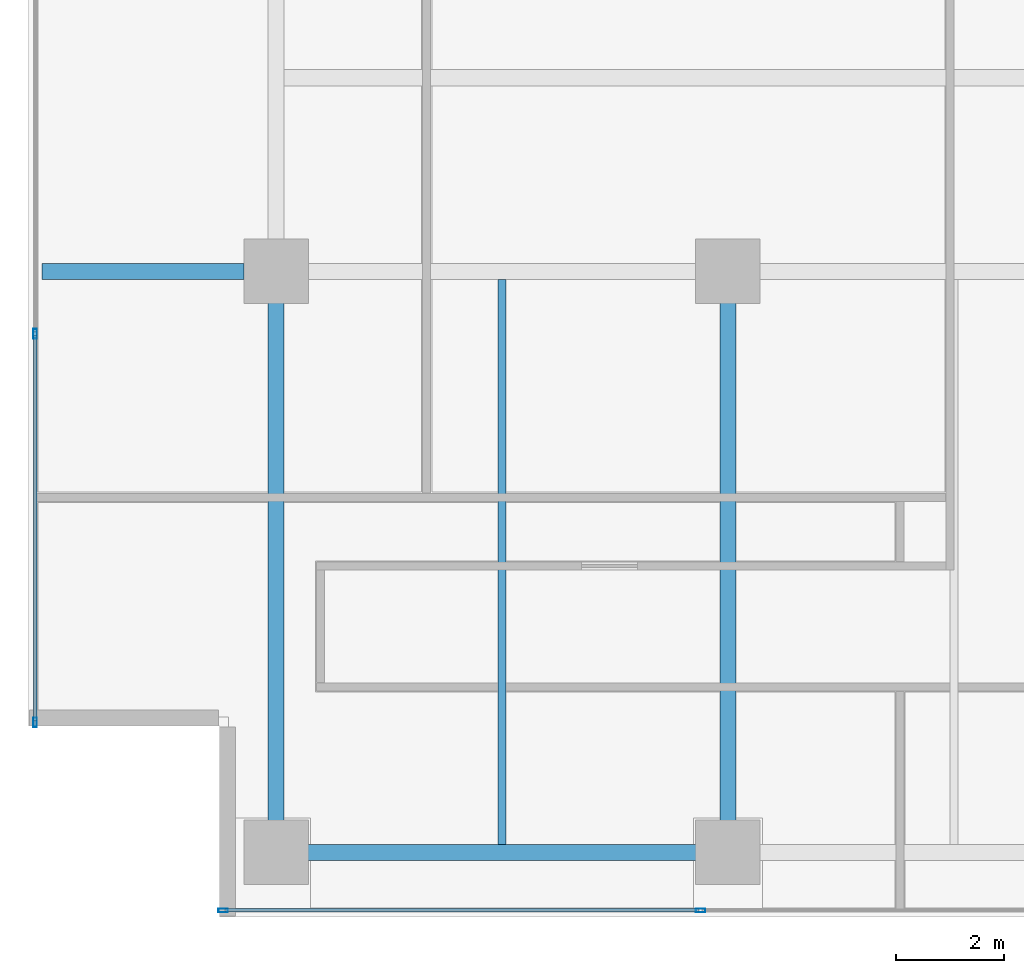
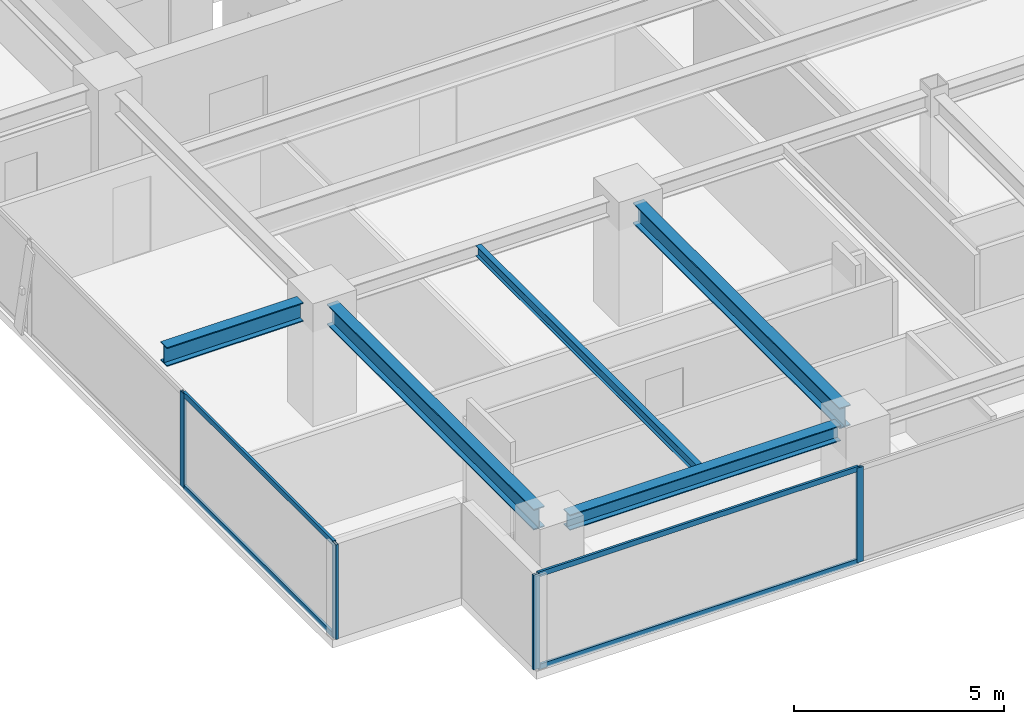
# One storey, part 2 of 20: 8 members, 5 beams, 2 elements without a shape of their own.
"""IFC4 building model written with IfcOpenShell, lengths in metres."""

import ifcopenshell
import ifcopenshell.guid

model = None  # the IFC model being written
_history = None  # IfcOwnerHistory: only IFC2X3 demands one
_inside = {}  # id of a spatial element -> (the spatial element, [elements in it])
_under = {}  # id of a project, library or spatial element -> (it, [spatial elements below it])
_declared = {}  # id of a project -> (the project, [libraries it declares])
_typed = {}  # id of a type object -> (the type object, [elements of that type])
_made_of = {}  # id of a material, layer set ... -> (it, [elements and type objects made of it])


def new_model(schema):
    """Start an empty IFC model of exactly this schema.

    Asked for "IFC4X3", IfcOpenShell would pick the latest addendum, in which some entities
    have other attributes; the version numbers below select the first issue.
    IFC2X3 requires an IfcOwnerHistory on every rooted entity: one is made here for all.
    """
    global model, _history
    if schema == "IFC4X3":
        model = ifcopenshell.file(schema_version=(4, 3, 0, 0))
    else:
        model = ifcopenshell.file(schema=schema)
    _inside.clear()
    _under.clear()
    _declared.clear()
    _typed.clear()
    _made_of.clear()
    _history = None
    if model.schema == "IFC2X3":
        org = make("IfcOrganization", Name="unknown")
        user = make(
            "IfcPersonAndOrganization",
            ThePerson=make("IfcPerson", FamilyName="unknown"),
            TheOrganization=org,
        )
        app = make(
            "IfcApplication",
            ApplicationDeveloper=org,
            Version="unknown",
            ApplicationFullName="unknown",
            ApplicationIdentifier="unknown",
        )
        _history = make(
            "IfcOwnerHistory",
            OwningUser=user,
            OwningApplication=app,
            ChangeAction="ADDED",
            CreationDate=0,
        )
    return model


def make(cls, **values):
    """One entity of the class cls with the attributes given. An attribute that is None is left unset."""
    return model.create_entity(
        cls, **{name: value for name, value in values.items() if value is not None}
    )


def rooted(cls, **values):
    """An entity with a GlobalId (a new one), such as an element, a storey or a relation."""
    return make(cls, GlobalId=ifcopenshell.guid.new(), OwnerHistory=_history, **values)


def si_unit(unit_type, name, prefix=None):
    """IfcSIUnit, for example si_unit("LENGTHUNIT", "METRE", prefix="MILLI")."""
    return make("IfcSIUnit", UnitType=unit_type, Prefix=prefix, Name=name)


def assignment(units):
    """IfcUnitAssignment: the units of a project."""
    return None if units is None else make("IfcUnitAssignment", Units=units)


def point(xyz):
    """IfcCartesianPoint."""
    return None if xyz is None else make("IfcCartesianPoint", Coordinates=xyz)


def direction(xyz):
    """IfcDirection."""
    return None if xyz is None else make("IfcDirection", DirectionRatios=xyz)


def frame(location, z_axis=None, x_axis=None):
    """IfcAxis2Placement3D, a coordinate frame: its origin and axes. An axis left out is left unset."""
    return make(
        "IfcAxis2Placement3D",
        Location=point(location),
        Axis=direction(z_axis),
        RefDirection=direction(x_axis),
    )


def frame_2d(location, x_axis=None):
    """IfcAxis2Placement2D, a coordinate frame in the plane: its origin and x axis."""
    return make(
        "IfcAxis2Placement2D", Location=point(location), RefDirection=direction(x_axis)
    )


def origin():
    """The frame at (0, 0, 0) with its axes left unset."""
    return frame((0.0, 0.0, 0.0))


def origin_2d():
    """The frame at (0, 0) in the plane with its x axis left unset."""
    return frame_2d((0.0, 0.0))


def place(relative_to, where):
    """IfcLocalPlacement: puts the frame where relative to a parent placement (None: the world)."""
    return make(
        "IfcLocalPlacement", PlacementRelTo=relative_to, RelativePlacement=where
    )


def context(
    kind, dimensions, precision=None, world=None, true_north=None, identifier=None
):
    """IfcGeometricRepresentationContext, for example the 3D "Model" context."""
    return make(
        "IfcGeometricRepresentationContext",
        ContextIdentifier=identifier,
        ContextType=kind,
        CoordinateSpaceDimension=dimensions,
        Precision=precision,
        WorldCoordinateSystem=world,
        TrueNorth=true_north,
    )


def subcontext(parent, identifier, kind, view, scale=None):
    """IfcGeometricRepresentationSubContext, for example "Body" below "Model"."""
    return make(
        "IfcGeometricRepresentationSubContext",
        ContextIdentifier=identifier,
        ContextType=kind,
        ParentContext=parent,
        TargetScale=scale,
        TargetView=view,
    )


def project(units=None, contexts=None):
    """IfcProject with its units and contexts."""
    return rooted(
        "IfcProject",
        Name="project",
        RepresentationContexts=contexts,
        UnitsInContext=assignment(units),
    )


def spatial(cls, under=None, at=None, **own):
    """A site, building, storey or space (cls), placed at a placement, below another one or the project."""
    s = rooted(cls, ObjectPlacement=at, **own)
    if under is not None:
        _under.setdefault(under.id(), (under, []))[1].append(s)
    return s


def profile(cls, at=None, kind="AREA", **sizes):
    """A parametric profile (cls). Its sizes go by their IFC names, for example OverallWidth=200.0."""
    return make(cls, ProfileType=kind, Position=at, **sizes)


def hollow_rectangle(**sizes):
    """IfcRectangleHollowProfileDef."""
    return profile("IfcRectangleHollowProfileDef", **sizes)


def i_section(**sizes):
    """IfcIShapeProfileDef."""
    return profile("IfcIShapeProfileDef", **sizes)


def extrude(swept, where, along, depth):
    """IfcExtrudedAreaSolid: the profile swept, set in the frame where, extruded along a direction by depth."""
    return make(
        "IfcExtrudedAreaSolid",
        SweptArea=swept,
        Position=where,
        ExtrudedDirection=direction(along),
        Depth=depth,
    )


def shape(context_of_items, identifier, shape_type, items):
    """IfcShapeRepresentation: the items that make up one representation, for example the "Body"."""
    return make(
        "IfcShapeRepresentation",
        ContextOfItems=context_of_items,
        RepresentationIdentifier=identifier,
        RepresentationType=shape_type,
        Items=items,
    )


def source(mapping_origin, context_of_items, identifier, shape_type, items):
    """IfcRepresentationMap: a shape defined once, which mapped items show again and again."""
    return make(
        "IfcRepresentationMap",
        MappingOrigin=mapping_origin,
        MappedRepresentation=shape(context_of_items, identifier, shape_type, items),
    )


def transform(
    local_origin,
    x_axis=None,
    y_axis=None,
    z_axis=None,
    scale=None,
    scale2=None,
    scale3=None,
    uniform=True,
):
    """IfcCartesianTransformationOperator3D, or its non-uniform kind. x_axis, y_axis, z_axis: its Axis1, 2, 3."""
    if uniform:
        return make(
            "IfcCartesianTransformationOperator3D",
            Axis1=direction(x_axis),
            Axis2=direction(y_axis),
            LocalOrigin=point(local_origin),
            Scale=scale,
            Axis3=direction(z_axis),
        )
    return make(
        "IfcCartesianTransformationOperator3DnonUniform",
        Axis1=direction(x_axis),
        Axis2=direction(y_axis),
        LocalOrigin=point(local_origin),
        Scale=scale,
        Axis3=direction(z_axis),
        Scale2=scale2,
        Scale3=scale3,
    )


def mapped(mapping_source, mapping_target):
    """IfcMappedItem: shows the shape of a source again, moved by a transform."""
    return make(
        "IfcMappedItem", MappingSource=mapping_source, MappingTarget=mapping_target
    )


def material(Name=None, Category=None):
    """IfcMaterial."""
    return make("IfcMaterial", Name=Name, Category=Category)


def layer(
    of_material, thickness, ventilated=None, Name=None, Category=None, Priority=None
):
    """IfcMaterialLayer: one layer of a wall or slab, of a material (None: an air gap)."""
    return make(
        "IfcMaterialLayer",
        Material=of_material,
        LayerThickness=thickness,
        IsVentilated=ventilated,
        Name=Name,
        Category=Category,
        Priority=Priority,
    )


def layer_set(layers, Name=None):
    """IfcMaterialLayerSet."""
    return make("IfcMaterialLayerSet", MaterialLayers=layers, LayerSetName=Name)


def material_profile(
    of_material, cross_section, Name=None, Category=None, Priority=None
):
    """IfcMaterialProfile: a cross section and its material."""
    return make(
        "IfcMaterialProfile",
        Name=Name,
        Material=of_material,
        Profile=cross_section,
        Priority=Priority,
        Category=Category,
    )


def profile_set(profiles, Name=None, composite=None):
    """IfcMaterialProfileSet."""
    return make(
        "IfcMaterialProfileSet",
        Name=Name,
        MaterialProfiles=profiles,
        CompositeProfile=composite,
    )


def made_of(thing, what):
    """Note that an element or type object is made of a material, layer set ...; save() writes the relation."""
    if what is not None:
        _made_of.setdefault(what.id(), (what, []))[1].append(thing)
    return thing


def type_object(cls, material=None, **own):
    """A type object (cls), such as IfcWallType, which elements share."""
    return made_of(rooted(cls, **own), material)


def element(
    cls,
    number,
    at=None,
    inside=None,
    cuts=None,
    type_object=None,
    material=None,
    context=None,
    identifier="Body",
    shape_type=None,
    held_by="IfcProductDefinitionShape",
    body=None,
    shapes=None,
    **own,
):
    """One element of the class cls, such as IfcWall. Its Tag is "e" and its number.

    at: its placement. inside: the storey or other place that contains it. cuts: it is an
    opening in that element (IfcRelVoidsElement). A single representation is given by context,
    identifier, shape_type and body (its items); several are given by shapes. held_by: the class
    of the entity that holds the representations. save() writes the other relations.
    """
    e = rooted(cls, Tag="e%d" % number, ObjectPlacement=at, **own)
    if body is not None:
        shapes = [shape(context, identifier, shape_type, body)]
    if shapes is not None:
        e.Representation = make(held_by, Representations=shapes)
    if inside is not None:
        _inside.setdefault(inside.id(), (inside, []))[1].append(e)
    if cuts is not None:
        rooted(
            "IfcRelVoidsElement", RelatingBuildingElement=cuts, RelatedOpeningElement=e
        )
    if type_object is not None:
        _typed.setdefault(type_object.id(), (type_object, []))[1].append(e)
    return made_of(e, material)


def aggregate(whole, parts):
    """IfcRelAggregates: a whole, such as a stair, and the parts it consists of."""
    return rooted("IfcRelAggregates", RelatingObject=whole, RelatedObjects=parts)


def save(model, path):
    """Write the relations noted so far, then the file.

    IfcRelAggregates (storeys below a building ...), IfcRelContainedInSpatialStructure (elements
    in a storey), IfcRelDefinesByType, IfcRelAssociatesMaterial and IfcRelDeclares: one each for
    every whole, place, type object, material and project.
    """
    for whole, parts in _under.values():
        aggregate(whole, parts)
    for where, things in _inside.values():
        rooted(
            "IfcRelContainedInSpatialStructure",
            RelatedElements=things,
            RelatingStructure=where,
        )
    for kind, things in _typed.values():
        rooted("IfcRelDefinesByType", RelatedObjects=things, RelatingType=kind)
    for what, things in _made_of.values():
        rooted("IfcRelAssociatesMaterial", RelatedObjects=things, RelatingMaterial=what)
    for by, libraries in _declared.values():
        rooted("IfcRelDeclares", RelatingContext=by, RelatedDefinitions=libraries)
    model.write(path)


model = new_model("IFC4")

# Units and contexts
model_context = context("Model", 3, precision=1e-05, world=origin(), true_north=direction((0.0, 1.0)))
body_context = subcontext(model_context, "Body", "Model", "MODEL_VIEW")
ifc_project = project(units=[si_unit("LENGTHUNIT", "METRE"), si_unit("AREAUNIT", "SQUARE_METRE"), si_unit("VOLUMEUNIT", "CUBIC_METRE"), si_unit("PLANEANGLEUNIT", "RADIAN"), si_unit("MASSUNIT", "GRAM", prefix="KILO")], contexts=[model_context])

# Site, building, storey
site_placement = place(None, origin())
site = spatial("IfcSite", under=ifc_project, at=site_placement, CompositionType="ELEMENT")
building_placement = place(site_placement, origin())
building = spatial("IfcBuilding", under=site, at=building_placement, Name="Sumidabori Civic Tower", CompositionType="ELEMENT")
storey_placement = place(building_placement, frame((0.0, 0.0, 282.800048828125)))
storey = spatial("IfcBuildingStorey", under=building, at=storey_placement, Name="L74", CompositionType="ELEMENT", Elevation=282.800048828125)

# Beams
ifc_material_1 = material(Name="Steel SN490", Category="steel")
ifc_material_profile_1 = material_profile(ifc_material_1, i_section(OverallWidth=0.300048828125, OverallDepth=0.60009765625, WebThickness=0.015380859375, FlangeThickness=0.030029296875, at=origin_2d()), Name="HE 600 B")
ifc_profile_set_1 = profile_set([ifc_material_profile_1], Name="Steel SN490")
beam_type_1 = type_object("IfcBeamType", Name="BM-GIRD-600", PredefinedType="BEAM", material=ifc_profile_set_1)
shared_shape_1 = source(origin(), body_context, "Body", "SweptSolid", [
    extrude(i_section(OverallWidth=0.300048828125, OverallDepth=0.60009765625, WebThickness=0.015380859375, FlangeThickness=0.030029296875, at=origin_2d()), origin(), (0.0, 0.0, 1.0), 9.840087890625),
])
for number, where, z_axis, x_axis, name in (
    (1, (-16.800048828125, -10.320068359375, 3.070068359375), (0.0, 1.0, 0.0), (-1.0, 0.0, 0.0), "Primary Girder L74 GY-09"),
    (2, (-8.39990234375, -10.320068359375, 3.070068359375), (0.0, 1.0, 0.0), (-1.0, 0.0, 0.0), "Primary Girder L74 GY-12"),
):
    element("IfcBeam", number, at=place(storey_placement, frame(where, z_axis=z_axis, x_axis=x_axis)), inside=storey, type_object=beam_type_1, Name=name, PredefinedType="BEAM", context=body_context, shape_type="MappedRepresentation", body=[
        mapped(shared_shape_1, transform((0.0, 0.0, 0.0), x_axis=(1.0, 0.0, 0.0), y_axis=(0.0, 1.0, 0.0), z_axis=(0.0, 0.0, 1.0), scale=1.0)),
    ])
ifc_material_profile_2 = material_profile(ifc_material_1, i_section(OverallWidth=0.300048828125, OverallDepth=0.449951171875, WebThickness=0.013916015625, FlangeThickness=0.02587890625, at=origin_2d()), Name="HE 450 B")
ifc_profile_set_2 = profile_set([ifc_material_profile_2], Name="Steel SN490")
beam_type_2 = type_object("IfcBeamType", Name="BM-GIRD-450", PredefinedType="BEAM", material=ifc_profile_set_2)
shared_shape_2 = source(origin(), body_context, "Body", "SweptSolid", [
    extrude(i_section(OverallWidth=0.300048828125, OverallDepth=0.449951171875, WebThickness=0.013916015625, FlangeThickness=0.02587890625, at=origin_2d()), origin(), (0.0, 0.0, 1.0), 7.440185546875),
])
beam_1_placement = place(storey_placement, frame((-16.320068359375, -10.800048828125, 3.14501953125), z_axis=(1.0, 0.0, 0.0), x_axis=(0.0, 1.0, 0.0)))
element("IfcBeam", 3, at=beam_1_placement, inside=storey, type_object=beam_type_2, Name="Primary Girder L74 GX-01", PredefinedType="BEAM", context=body_context, shape_type="MappedRepresentation", body=[
    mapped(shared_shape_2, transform((0.0, 0.0, 0.0), x_axis=(1.0, 0.0, 0.0), y_axis=(0.0, 1.0, 0.0), z_axis=(0.0, 0.0, 1.0), scale=1.0)),
])
ifc_material_profile_3 = material_profile(ifc_material_1, i_section(OverallWidth=0.14990234375, OverallDepth=0.300048828125, WebThickness=0.007080078125, FlangeThickness=0.0107421875, at=origin_2d()), Name="IPE 300")
ifc_profile_set_3 = profile_set([ifc_material_profile_3], Name="Steel SN490")
beam_type_3 = type_object("IfcBeamType", Name="BM-JST-300", PredefinedType="JOIST", material=ifc_profile_set_3)
shared_shape_3 = source(origin(), body_context, "Body", "SweptSolid", [
    extrude(i_section(OverallWidth=0.14990234375, OverallDepth=0.300048828125, WebThickness=0.007080078125, FlangeThickness=0.0107421875, at=origin_2d()), origin(), (0.0, 0.0, 1.0), 10.5),
])
beam_2_placement = place(storey_placement, frame((-12.60009765625, -10.64990234375, 3.219970703125), z_axis=(0.0, 1.0, 0.0), x_axis=(-1.0, 0.0, 0.0)))
element("IfcBeam", 4, at=beam_2_placement, inside=storey, type_object=beam_type_3, Name="Upper Lens N-S Floor Joist L74 JSTV-24", PredefinedType="JOIST", context=body_context, shape_type="MappedRepresentation", body=[
    mapped(shared_shape_3, transform((0.0, 0.0, 0.0), x_axis=(1.0, 0.0, 0.0), y_axis=(0.0, 1.0, 0.0), z_axis=(0.0, 0.0, 1.0), scale=1.0)),
])
ifc_material_profile_4 = material_profile(ifc_material_1, i_section(OverallWidth=0.300048828125, OverallDepth=0.550048828125, WebThickness=0.014892578125, FlangeThickness=0.029052734375, at=origin_2d()), Name="HE 550 B")
ifc_profile_set_4 = profile_set([ifc_material_profile_4], Name="Steel SN490")
beam_type_4 = type_object("IfcBeamType", Name="BM-Z4-EDGE", PredefinedType="SPANDREL", material=ifc_profile_set_4)
shared_shape_4 = source(origin(), body_context, "Body", "SweptSolid", [
    extrude(i_section(OverallWidth=0.300048828125, OverallDepth=0.550048828125, WebThickness=0.014892578125, FlangeThickness=0.029052734375, at=origin_2d()), origin(), (0.0, 0.0, 1.0), 3.75),
])
beam_3_placement = place(storey_placement, frame((-21.14990234375, 0.0, 3.094970703125), z_axis=(1.0, 0.0, 0.0), x_axis=(0.0, 1.0, 0.0)))
element("IfcBeam", 5, at=beam_3_placement, inside=storey, type_object=beam_type_4, Name="Perimeter Overhang Beam L74 W-19", PredefinedType="SPANDREL", context=body_context, shape_type="MappedRepresentation", body=[
    mapped(shared_shape_4, transform((0.0, 0.0, 0.0), x_axis=(1.0, 0.0, 0.0), y_axis=(0.0, 1.0, 0.0), z_axis=(0.0, 0.0, 1.0), scale=1.0)),
])

# Curtain wall, members
ifc_material_2 = material(Name="Anodised Bronze Aluminium AW-6063-T6", Category="aluminium")
ifc_layer = layer(ifc_material_2, 0.179931640625, Name="Anodised Bronze Aluminium AW-6063-T6")
ifc_layer_set = layer_set([ifc_layer], Name="Anodised Bronze Aluminium AW-6063-T6")
curtain_wall_type = type_object("IfcCurtainWallType", Name="CW-SYS-6", PredefinedType="NOTDEFINED", material=ifc_layer_set)
curtain_wall_1_placement = place(storey_placement, origin())
curtain_wall_1 = element("IfcCurtainWall", 6, at=curtain_wall_1_placement, inside=storey, type_object=curtain_wall_type, Name="Curtain Wall CW:L74:R01", PredefinedType="NOTDEFINED")
ifc_material_profile_5 = material_profile(ifc_material_2, hollow_rectangle(XDim=0.070068359375, YDim=0.179931640625, WallThickness=0.006103515625, at=origin_2d()), Name="ALU MULLION 180x70")
ifc_profile_set_5 = profile_set([ifc_material_profile_5], Name="Anodised Bronze Aluminium AW-6063-T6")
member_type_1 = type_object("IfcMemberType", Name="CW-MUL-180", PredefinedType="MULLION", material=ifc_profile_set_5)
shared_shape_5 = source(origin(), body_context, "Body", "SweptSolid", [
    extrude(hollow_rectangle(XDim=0.070068359375, YDim=0.179931640625, WallThickness=0.006103515625, at=origin_2d()), origin(), (0.0, 0.0, 1.0), 2.75),
])
member_1_placement = place(storey_placement, frame((-17.784912109375, -11.8798828125, 0.0), z_axis=(0.0, 0.0, 1.0), x_axis=(0.0, 1.0, 0.0)))
member_1 = element("IfcMember", 7, at=member_1_placement, type_object=member_type_1, Name="CW-6 mullion 1", PredefinedType="MULLION", context=body_context, shape_type="MappedRepresentation", body=[
    mapped(shared_shape_5, transform((0.0, 0.0, 0.0), x_axis=(1.0, 0.0, 0.0), y_axis=(0.0, 1.0, 0.0), z_axis=(0.0, 0.0, 1.0), scale=1.0)),
])
member_2_placement = place(storey_placement, frame((-8.909912109375, -11.8798828125, 0.0), z_axis=(0.0, 0.0, 1.0), x_axis=(0.0, 1.0, 0.0)))
member_2 = element("IfcMember", 8, at=member_2_placement, type_object=member_type_1, Name="CW-6 mullion 2", PredefinedType="MULLION", context=body_context, shape_type="MappedRepresentation", body=[
    mapped(shared_shape_5, transform((0.0, 0.0, 0.0), x_axis=(1.0, 0.0, 0.0), y_axis=(0.0, 1.0, 0.0), z_axis=(0.0, 0.0, 1.0), scale=1.0)),
])

curtain_wall_2_placement = place(storey_placement, origin())
curtain_wall_2 = element("IfcCurtainWall", 9, at=curtain_wall_2_placement, inside=storey, type_object=curtain_wall_type, Name="Curtain Wall CW:L74:R10", PredefinedType="NOTDEFINED")
member_3_placement = place(storey_placement, frame((-21.280029296875, -1.159912109375, 0.0), z_axis=(0.0, 0.0, 1.0), x_axis=(1.0, 0.0, 0.0)))
member_3 = element("IfcMember", 10, at=member_3_placement, type_object=member_type_1, Name="CW-6 mullion 4", PredefinedType="MULLION", context=body_context, shape_type="MappedRepresentation", body=[
    mapped(shared_shape_5, transform((0.0, 0.0, 0.0), x_axis=(1.0, 0.0, 0.0), y_axis=(0.0, 1.0, 0.0), z_axis=(0.0, 0.0, 1.0), scale=1.0)),
])
member_4_placement = place(storey_placement, frame((-21.280029296875, -8.385009765625, 0.0), z_axis=(0.0, 0.0, 1.0), x_axis=(1.0, 0.0, 0.0)))
member_4 = element("IfcMember", 11, at=member_4_placement, type_object=member_type_1, Name="CW-6 mullion 5", PredefinedType="MULLION", context=body_context, shape_type="MappedRepresentation", body=[
    mapped(shared_shape_5, transform((0.0, 0.0, 0.0), x_axis=(1.0, 0.0, 0.0), y_axis=(0.0, 1.0, 0.0), z_axis=(0.0, 0.0, 1.0), scale=1.0)),
])

# Member
ifc_material_profile_6 = material_profile(ifc_material_2, hollow_rectangle(XDim=0.06494140625, YDim=0.14990234375, WallThickness=0.0048828125, at=origin_2d()), Name="ALU TRANSOM 150x65")
ifc_profile_set_6 = profile_set([ifc_material_profile_6], Name="Anodised Bronze Aluminium AW-6063-T6")
member_type_2 = type_object("IfcMemberType", Name="CW-TRN-150", PredefinedType="USERDEFINED", material=ifc_profile_set_6)
shared_shape_6 = source(origin(), body_context, "Body", "SweptSolid", [
    extrude(hollow_rectangle(XDim=0.06494140625, YDim=0.14990234375, WallThickness=0.0048828125, at=origin_2d()), origin(), (0.0, 0.0, 1.0), 8.804931640625),
])
member_5_placement = place(storey_placement, frame((-17.75, -11.8798828125, 0.032470703125), z_axis=(1.0, 0.0, 0.0), x_axis=(0.0, 1.0, 0.0)))
member_5 = element("IfcMember", 12, at=member_5_placement, type_object=member_type_2, Name="CW-6 transom 1.1", ObjectType="TRANSOM", PredefinedType="USERDEFINED", context=body_context, shape_type="MappedRepresentation", body=[
    mapped(shared_shape_6, transform((0.0, 0.0, 0.0), x_axis=(1.0, 0.0, 0.0), y_axis=(0.0, 1.0, 0.0), z_axis=(0.0, 0.0, 1.0), scale=1.0)),
])

member_6_placement = place(storey_placement, frame((-17.75, -11.8798828125, 2.717529296875), z_axis=(1.0, 0.0, 0.0), x_axis=(0.0, 1.0, 0.0)))
member_6 = element("IfcMember", 13, at=member_6_placement, type_object=member_type_2, Name="CW-6 transom 1.2", ObjectType="TRANSOM", PredefinedType="USERDEFINED", context=body_context, shape_type="MappedRepresentation", body=[
    mapped(shared_shape_6, transform((0.0, 0.0, 0.0), x_axis=(1.0, 0.0, 0.0), y_axis=(0.0, 1.0, 0.0), z_axis=(0.0, 0.0, 1.0), scale=1.0)),
])

aggregate(curtain_wall_1, [member_1, member_2, member_5, member_6])

shared_shape_7 = source(origin(), body_context, "Body", "SweptSolid", [
    extrude(hollow_rectangle(XDim=0.06494140625, YDim=0.14990234375, WallThickness=0.0048828125, at=origin_2d()), origin(), (0.0, 0.0, 1.0), 7.155029296875),
])
member_7_placement = place(storey_placement, frame((-21.280029296875, -1.195068359375, 0.032470703125), z_axis=(0.0, -1.0, 0.0), x_axis=(1.0, 0.0, 0.0)))
member_7 = element("IfcMember", 14, at=member_7_placement, type_object=member_type_2, Name="CW-6 transom 4.1", ObjectType="TRANSOM", PredefinedType="USERDEFINED", context=body_context, shape_type="MappedRepresentation", body=[
    mapped(shared_shape_7, transform((0.0, 0.0, 0.0), x_axis=(1.0, 0.0, 0.0), y_axis=(0.0, 1.0, 0.0), z_axis=(0.0, 0.0, 1.0), scale=1.0)),
])

member_8_placement = place(storey_placement, frame((-21.280029296875, -1.195068359375, 2.717529296875), z_axis=(0.0, -1.0, 0.0), x_axis=(1.0, 0.0, 0.0)))
member_8 = element("IfcMember", 15, at=member_8_placement, type_object=member_type_2, Name="CW-6 transom 4.2", ObjectType="TRANSOM", PredefinedType="USERDEFINED", context=body_context, shape_type="MappedRepresentation", body=[
    mapped(shared_shape_7, transform((0.0, 0.0, 0.0), x_axis=(1.0, 0.0, 0.0), y_axis=(0.0, 1.0, 0.0), z_axis=(0.0, 0.0, 1.0), scale=1.0)),
])

aggregate(curtain_wall_2, [member_3, member_4, member_7, member_8])

save(model, "model.ifc")
